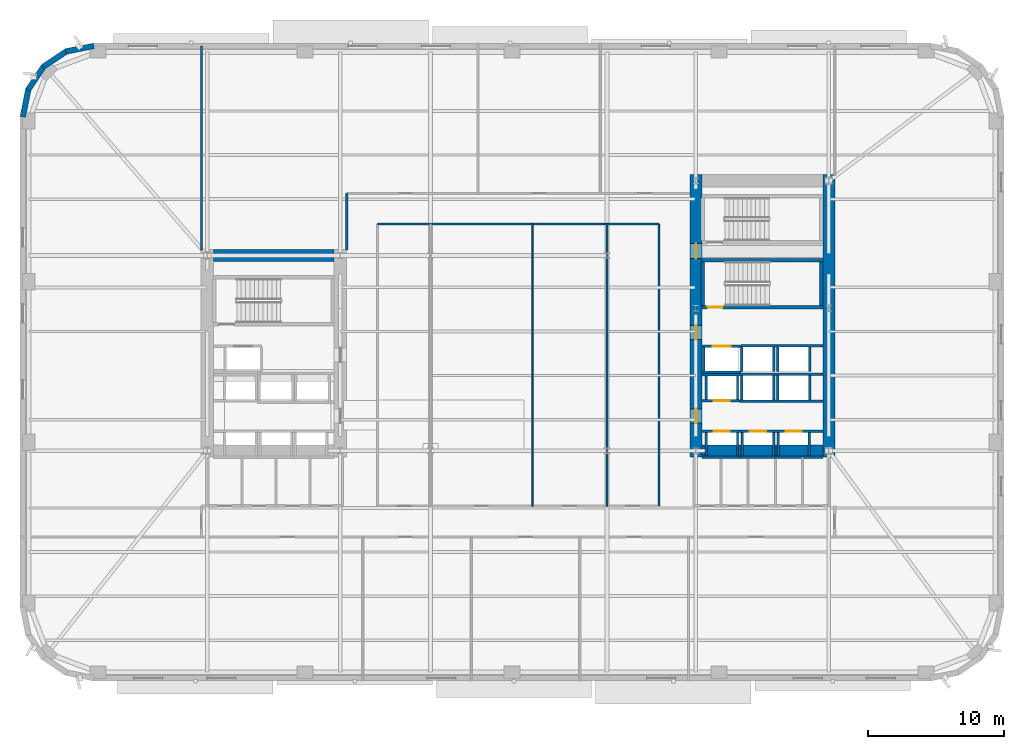
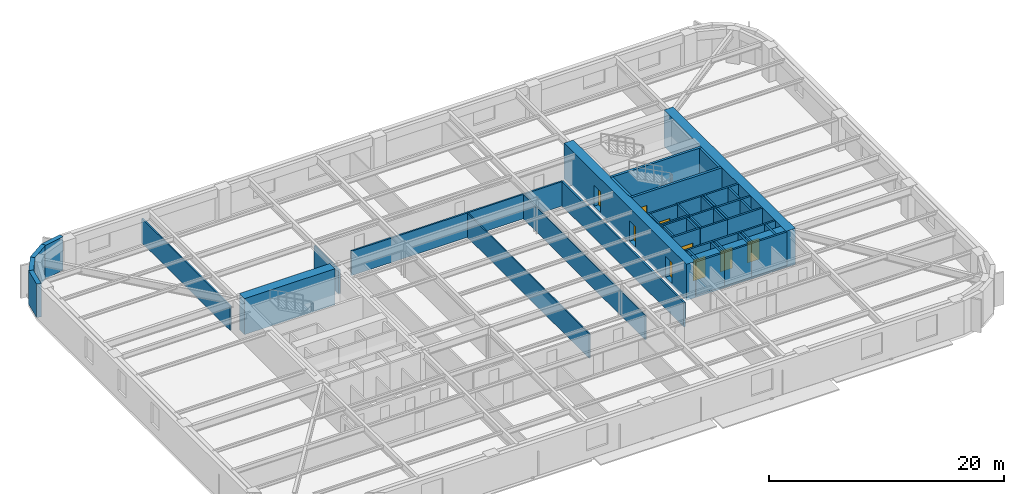
# One storey, part 6 of 15: 51 walls, 9 doors, 9 openings.
"""IFC4 building model written with IfcOpenShell, lengths in metres."""

from ifc_helpers import new_model, si_unit, direction, frame, frame_2d, origin, place, context, subcontext, project, spatial, rectangle, extrude, material, layer, layer_set, type_object, element, fill, save


model = new_model("IFC4")

# Units and contexts
model_context = context("Model", 3, precision=1e-05, world=origin(), true_north=direction((0.0, 1.0)))
body_context = subcontext(model_context, "Body", "Model", "MODEL_VIEW")
ifc_project = project(units=[si_unit("LENGTHUNIT", "METRE"), si_unit("AREAUNIT", "SQUARE_METRE"), si_unit("VOLUMEUNIT", "CUBIC_METRE"), si_unit("PLANEANGLEUNIT", "RADIAN"), si_unit("MASSUNIT", "GRAM", prefix="KILO")], contexts=[model_context])

# Site, building, storey
site_placement = place(None, origin())
site = spatial("IfcSite", under=ifc_project, at=site_placement, CompositionType="ELEMENT")
building_placement = place(site_placement, origin())
building = spatial("IfcBuilding", under=site, at=building_placement, Name="Kolvaren Arena Tower", CompositionType="ELEMENT")
storey_placement = place(building_placement, frame((0.0, 0.0, 49.5)))
storey = spatial("IfcBuildingStorey", under=building, at=storey_placement, Name="L09", CompositionType="ELEMENT", Elevation=49.5)

# Walls
ifc_material_1 = material(Name="Gypsum board acoustic assembly", Category="gypsum")
ifc_layer_1 = layer(ifc_material_1, 0.159912109375)
ifc_layer_set_1 = layer_set([ifc_layer_1], Name="Gypsum board acoustic assembly")
wall_type_1 = type_object("IfcWallType", Name="CORR-160", PredefinedType="PARTITIONING", material=ifc_layer_set_1)
wall_1_placement = place(storey_placement, frame((24.820068359375, 34.25, 0.0), z_axis=(0.0, 0.0, 1.0), x_axis=(0.0, 1.0, 0.0)))
element("IfcWall", 1, at=wall_1_placement, inside=storey, type_object=wall_type_1, Name="Interior Partition Wall (L09)", PredefinedType="PARTITIONING", context=body_context, shape_type="SweptSolid", body=[
    extrude(rectangle(XDim=4.169921875, YDim=0.159912109375, at=frame_2d((2.0849609375, 0.0))), origin(), (0.0, 0.0, 1.0), 2.5400390625),
])
wall_2_placement = place(storey_placement, frame((27.080078125, 36.179931640625, 0.0), z_axis=(0.0, 0.0, 1.0), x_axis=(1.0, 0.0, 0.0)))
element("IfcWall", 2, at=wall_2_placement, inside=storey, type_object=wall_type_1, Name="Interior Partition Wall (L09)", PredefinedType="PARTITIONING", context=body_context, shape_type="SweptSolid", body=[
    extrude(rectangle(XDim=20.739990234375, YDim=0.159912109375, at=frame_2d((10.3701171875, 0.0))), origin(), (0.0, 0.0, 1.0), 2.5400390625),
])
wall_3_placement = place(storey_placement, frame((47.820068359375, 15.3798828125, 0.0), z_axis=(0.0, 0.0, 1.0), x_axis=(0.0, 1.0, 0.0)))
element("IfcWall", 3, at=wall_3_placement, inside=storey, type_object=wall_type_1, Name="Interior Partition Wall (L09)", PredefinedType="PARTITIONING", context=body_context, shape_type="SweptSolid", body=[
    extrude(rectangle(XDim=20.800048828125, YDim=0.159912109375, at=frame_2d((10.39990234375, 0.0))), origin(), (0.0, 0.0, 1.0), 2.5400390625),
])
ifc_material_2 = material(Name="Concrete 80 MPa", Category="concrete")
ifc_layer_2 = layer(ifc_material_2, 0.89990234375)
ifc_layer_set_2 = layer_set([ifc_layer_2], Name="Concrete 80 MPa")
wall_type_2 = type_object("IfcWallType", Name="CWALL-900", PredefinedType="SHEAR", material=ifc_layer_set_2)
wall_4_placement = place(storey_placement, frame((15.0, 33.85009765625, -0.27001953125), z_axis=(0.0, 0.0, 1.0), x_axis=(1.0, 0.0, 0.0)))
element("IfcWall", 4, at=wall_4_placement, inside=storey, type_object=wall_type_2, Name="Core Shear Wall WC-NORTH (L09)", PredefinedType="SHEAR", context=body_context, shape_type="SweptSolid", body=[
    extrude(rectangle(XDim=8.89990234375, YDim=0.89990234375, at=frame_2d((4.449951171875, 0.0))), origin(), (0.0, 0.0, 1.0), 3.75),
])

# Wall, openings, doors
wall_5_placement = place(storey_placement, frame((50.550048828125, 19.0, -0.27001953125), z_axis=(0.0, 0.0, 1.0), x_axis=(0.0, 1.0, 0.0)))
wall_5 = element("IfcWall", 5, at=wall_5_placement, inside=storey, type_object=wall_type_2, Name="Core Shear Wall EC-WEST (L09)", PredefinedType="SHEAR", context=body_context, shape_type="SweptSolid", body=[
    extrude(rectangle(XDim=20.800048828125, YDim=0.89990234375, at=frame_2d((10.39990234375, 0.0))), origin(), (0.0, 0.0, 1.0), 3.75),
])
opening_1_placement = place(wall_5_placement, frame((2.5, 0.0, 0.27001953125)))
opening_1 = element("IfcOpeningElement", 6, at=opening_1_placement, cuts=wall_5, Name="Opening D04", PredefinedType="OPENING", context=body_context, shape_type="SweptSolid", body=[
    extrude(rectangle(XDim=1.050048828125, YDim=2.14990234375, at=frame_2d((0.52490234375, 1.074951171875))), frame((0.0, 0.4599609375, 0.0), z_axis=(0.0, -1.0, 0.0), x_axis=(1.0, 0.0, 0.0)), (0.0, 0.0, 1.0), 0.919921875),
])
opening_2_placement = place(wall_5_placement, frame((8.64990234375, 0.0, 0.27001953125)))
opening_2 = element("IfcOpeningElement", 7, at=opening_2_placement, cuts=wall_5, Name="Opening D04", PredefinedType="OPENING", context=body_context, shape_type="SweptSolid", body=[
    extrude(rectangle(XDim=1.050048828125, YDim=2.14990234375, at=frame_2d((0.52490234375, 1.074951171875))), frame((0.0, 0.4599609375, 0.0), z_axis=(0.0, -1.0, 0.0), x_axis=(1.0, 0.0, 0.0)), (0.0, 0.0, 1.0), 0.919921875),
])
opening_3_placement = place(wall_5_placement, frame((14.6201171875, 0.0, 0.27001953125)))
opening_3 = element("IfcOpeningElement", 8, at=opening_3_placement, cuts=wall_5, Name="Opening D03", PredefinedType="OPENING", context=body_context, shape_type="SweptSolid", body=[
    extrude(rectangle(XDim=1.10009765625, YDim=2.14990234375, at=frame_2d((0.550048828125, 1.074951171875))), frame((0.0, 0.4599609375, 0.0), z_axis=(0.0, -1.0, 0.0), x_axis=(1.0, 0.0, 0.0)), (0.0, 0.0, 1.0), 0.919921875),
])
ifc_material_3 = material(Name="Fire-rated steel lobby door", Category="steel")
door_type_1 = type_object("IfcDoorType", Name="DOOR-FF-105", OperationType="NOTDEFINED", PredefinedType="DOOR", material=ifc_material_3)
door_1_placement = place(opening_1_placement, origin())
door_1 = element("IfcDoor", 9, at=door_1_placement, inside=storey, type_object=door_type_1, Name="East Lift Lobby Fire Door (L09)", OperationType="SINGLE_SWING_RIGHT", OverallHeight=2.14990234375, OverallWidth=1.050048828125, PredefinedType="DOOR", context=body_context, shape_type="SweptSolid", body=[
    extrude(rectangle(XDim=1.050048828125, YDim=2.14990234375, at=frame_2d((0.52490234375, 1.074951171875))), frame((0.0, 0.02490234375, 0.0), z_axis=(0.0, -1.0, 0.0), x_axis=(1.0, 0.0, 0.0)), (0.0, 0.0, 1.0), 0.050048828125),
])
fill(opening_1, door_1)
door_2_placement = place(opening_2_placement, origin())
door_2 = element("IfcDoor", 10, at=door_2_placement, inside=storey, type_object=door_type_1, Name="East Firefighter Vestibule Door (L09)", OperationType="SINGLE_SWING_LEFT", OverallHeight=2.14990234375, OverallWidth=1.050048828125, PredefinedType="DOOR", context=body_context, shape_type="SweptSolid", body=[
    extrude(rectangle(XDim=1.050048828125, YDim=2.14990234375, at=frame_2d((0.52490234375, 1.074951171875))), frame((0.0, 0.02490234375, 0.0), z_axis=(0.0, -1.0, 0.0), x_axis=(1.0, 0.0, 0.0)), (0.0, 0.0, 1.0), 0.050048828125),
])
fill(opening_2, door_2)
ifc_material_4 = material(Name="Fire-rated steel exit stair door", Category="steel")
door_type_2 = type_object("IfcDoorType", Name="DOOR-ST-110", OperationType="NOTDEFINED", PredefinedType="DOOR", material=ifc_material_4)
door_3_placement = place(opening_3_placement, origin())
door_3 = element("IfcDoor", 11, at=door_3_placement, inside=storey, type_object=door_type_2, Name="Stair ST-E2 Vestibule Fire Door (L09)", OperationType="SINGLE_SWING_LEFT", OverallHeight=2.14990234375, OverallWidth=1.10009765625, PredefinedType="DOOR", context=body_context, shape_type="SweptSolid", body=[
    extrude(rectangle(XDim=1.10009765625, YDim=2.14990234375, at=frame_2d((0.550048828125, 1.074951171875))), frame((0.0, 0.02490234375, 0.0), z_axis=(0.0, -1.0, 0.0), x_axis=(1.0, 0.0, 0.0)), (0.0, 0.0, 1.0), 0.050048828125),
])
fill(opening_3, door_3)

# Walls
wall_6_placement = place(storey_placement, frame((60.35009765625, 19.0, -0.27001953125), z_axis=(0.0, 0.0, 1.0), x_axis=(0.0, 1.0, 0.0)))
element("IfcWall", 12, at=wall_6_placement, inside=storey, type_object=wall_type_2, Name="Core Shear Wall EC-EAST (L09)", PredefinedType="SHEAR", context=body_context, shape_type="SweptSolid", body=[
    extrude(rectangle(XDim=20.800048828125, YDim=0.89990234375, at=frame_2d((10.39990234375, 0.0))), origin(), (0.0, 0.0, 1.0), 3.75),
])
wall_7_placement = place(storey_placement, frame((51.0, 19.449951171875, -0.27001953125), z_axis=(0.0, 0.0, 1.0), x_axis=(1.0, 0.0, 0.0)))
element("IfcWall", 13, at=wall_7_placement, inside=storey, type_object=wall_type_2, Name="Core Shear Wall EC-SOUTH (L09)", PredefinedType="SHEAR", context=body_context, shape_type="SweptSolid", body=[
    extrude(rectangle(XDim=8.89990234375, YDim=0.89990234375, at=frame_2d((4.449951171875, 0.0))), origin(), (0.0, 0.0, 1.0), 3.75),
])
ifc_material_5 = material(Name="Precast concrete C50/60", Category="concrete")
ifc_layer_3 = layer(ifc_material_5, 0.419921875)
ifc_layer_set_3 = layer_set([ifc_layer_3], Name="Precast concrete C50/60")
wall_type_3 = type_object("IfcWallType", Name="EXT-PIER1", PredefinedType="SOLIDWALL", material=ifc_layer_set_3)
for number, where, z_axis, x_axis, name in (
    (14, (4.12451171875, 48.8828125, 0.0), (0.0, 0.0, 1.0), (0.9807762837, 0.195135546048, 0.0), "Exterior Precast Masonry-Frame Wall (L09)"),
    (15, (2.4482421875, 47.743896484375, 0.0), (0.0, 0.0, 1.0), (0.831515102434, 0.555502146192, 0.0), "Exterior Precast Masonry-Frame Wall (L09)"),
    (16, (1.335693359375, 46.0498046875, 0.0), (0.0, 0.0, 1.0), (0.555502146192, 0.831515102434, 0.0), "Exterior Precast Masonry-Frame Wall (L09)"),
    (17, (0.9560546875, 44.05908203125, 0.0), (0.0, 0.0, 1.0), (0.195135546048, 0.9807762837, 0.0), "Exterior Precast Masonry-Frame Wall (L09)"),
):
    element("IfcWall", number, at=place(storey_placement, frame(where, z_axis=z_axis, x_axis=x_axis)), inside=storey, type_object=wall_type_3, Name=name, PredefinedType="SOLIDWALL", context=body_context, shape_type="SweptSolid", body=[
        extrude(rectangle(XDim=2.10693359375, YDim=0.419921875, at=frame_2d((1.053466796875, 0.0))), origin(), (0.0, 0.0, 1.0), 3.47998046875),
    ])
ifc_material_6 = material(Name="Gypsum board partition assembly", Category="gypsum")
ifc_layer_4 = layer(ifc_material_6, 0.114990234375)
ifc_layer_set_4 = layer_set([ifc_layer_4], Name="Gypsum board partition assembly")
wall_type_4 = type_object("IfcWallType", Name="PART-115", PredefinedType="PARTITIONING", material=ifc_layer_set_4)
for number, where, z_axis, x_axis, name in (
    (18, (38.5, 15.3798828125, 0.0), (0.0, 0.0, 1.0), (0.0, 1.0, 0.0), "Interior Partition Wall (L09)"),
    (19, (44.0, 15.3798828125, 0.0), (0.0, 0.0, 1.0), (0.0, 1.0, 0.0), "Interior Partition Wall (L09)"),
):
    element("IfcWall", number, at=place(storey_placement, frame(where, z_axis=z_axis, x_axis=x_axis)), inside=storey, type_object=wall_type_4, Name=name, PredefinedType="PARTITIONING", context=body_context, shape_type="SweptSolid", body=[
        extrude(rectangle(XDim=20.800048828125, YDim=0.114990234375, at=frame_2d((10.39990234375, 0.0))), origin(), (0.0, 0.0, 1.0), 2.5400390625),
    ])
ifc_layer_5 = layer(ifc_material_6, 0.135009765625)
ifc_layer_set_5 = layer_set([ifc_layer_5], Name="Gypsum board partition assembly")
wall_type_5 = type_object("IfcWallType", Name="PART-135", PredefinedType="PARTITIONING", material=ifc_layer_set_5)
wall_8_placement = place(storey_placement, frame((14.1201171875, 34.25, 0.0), z_axis=(0.0, 0.0, 1.0), x_axis=(0.0, 1.0, 0.0)))
element("IfcWall", 20, at=wall_8_placement, inside=storey, type_object=wall_type_5, Name="Interior Partition Wall (L09)", PredefinedType="PARTITIONING", context=body_context, shape_type="SweptSolid", body=[
    extrude(rectangle(XDim=15.010009765625, YDim=0.135009765625, at=frame_2d((7.5048828125, 0.0))), origin(), (0.0, 0.0, 1.0), 2.5400390625),
])

# Wall, opening, door
ifc_material_7 = material(Name="Concrete 45 MPa", Category="concrete")
ifc_layer_6 = layer(ifc_material_7, 0.25)
ifc_layer_set_6 = layer_set([ifc_layer_6], Name="Concrete 45 MPa")
wall_type_6 = type_object("IfcWallType", Name="SHAFT-250", PredefinedType="SOLIDWALL", material=ifc_layer_set_6)
wall_9_placement = place(storey_placement, frame((59.89990234375, 30.030029296875, 0.0), z_axis=(0.0, 0.0, 1.0), x_axis=(-1.0, 0.0, 0.0)))
wall_9 = element("IfcWall", 21, at=wall_9_placement, inside=storey, type_object=wall_type_6, Name="Core Shaft Wall (L09)", PredefinedType="SOLIDWALL", context=body_context, shape_type="SweptSolid", body=[
    extrude(rectangle(XDim=8.89990234375, YDim=0.239990234375, at=frame_2d((4.449951171875, 0.0))), origin(), (0.0, 0.0, 1.0), 3.47998046875),
])
opening_4_placement = place(wall_9_placement, frame((7.3798828125, 0.0, 0.0)))
opening_4 = element("IfcOpeningElement", 22, at=opening_4_placement, cuts=wall_9, Name="Opening D03", PredefinedType="OPENING", context=body_context, shape_type="SweptSolid", body=[
    extrude(rectangle(XDim=1.10009765625, YDim=2.14990234375, at=frame_2d((0.550048828125, 1.074951171875))), frame((0.0, 0.1298828125, 0.0), z_axis=(0.0, -1.0, 0.0), x_axis=(1.0, 0.0, 0.0)), (0.0, 0.0, 1.0), 0.260009765625),
])
door_4_placement = place(opening_4_placement, origin())
door_4 = element("IfcDoor", 23, at=door_4_placement, inside=storey, type_object=door_type_2, Name="Stair ST-E1 Fire Door (L09)", OperationType="SINGLE_SWING_LEFT", OverallHeight=2.14990234375, OverallWidth=1.10009765625, PredefinedType="DOOR", context=body_context, shape_type="SweptSolid", body=[
    extrude(rectangle(XDim=1.10009765625, YDim=2.14990234375, at=frame_2d((0.550048828125, 1.074951171875))), frame((0.0, 0.02490234375, 0.0), z_axis=(0.0, -1.0, 0.0), x_axis=(1.0, 0.0, 0.0)), (0.0, 0.0, 1.0), 0.050048828125),
])
fill(opening_4, door_4)

# Walls
wall_10_placement = place(storey_placement, frame((51.0, 33.5, 0.0), z_axis=(0.0, 0.0, 1.0), x_axis=(1.0, 0.0, 0.0)))
element("IfcWall", 24, at=wall_10_placement, inside=storey, type_object=wall_type_6, Name="Core Shaft Wall (L09)", PredefinedType="SOLIDWALL", context=body_context, shape_type="SweptSolid", body=[
    extrude(rectangle(XDim=8.89990234375, YDim=0.239990234375, at=frame_2d((4.449951171875, 0.0))), origin(), (0.0, 0.0, 1.0), 3.47998046875),
])
for number, where, z_axis, x_axis, name in (
    (25, (51.06005859375, 30.14990234375, 0.0), (0.0, 0.0, 1.0), (0.0, 1.0, 0.0), "Core Shaft Wall (L09)"),
    (26, (59.780029296875, 30.14990234375, 0.0), (0.0, 0.0, 1.0), (0.0, 1.0, 0.0), "Core Shaft Wall (L09)"),
):
    element("IfcWall", number, at=place(storey_placement, frame(where, z_axis=z_axis, x_axis=x_axis)), inside=storey, type_object=wall_type_6, Name=name, PredefinedType="SOLIDWALL", context=body_context, shape_type="SweptSolid", body=[
        extrude(rectangle(XDim=3.22998046875, YDim=0.239990234375, at=frame_2d((1.614990234375, 0.0))), origin(), (0.0, 0.0, 1.0), 3.47998046875),
    ])

# Wall, opening, door
wall_11_placement = place(storey_placement, frame((51.0, 20.905029296875, 0.0), z_axis=(0.0, 0.0, 1.0), x_axis=(1.0, 0.0, 0.0)))
wall_11 = element("IfcWall", 27, at=wall_11_placement, inside=storey, type_object=wall_type_6, Name="Core Shaft Wall (L09)", PredefinedType="SOLIDWALL", context=body_context, shape_type="SweptSolid", body=[
    extrude(rectangle(XDim=2.7900390625, YDim=0.179931640625, at=frame_2d((1.39501953125, 0.0))), origin(), (0.0, 0.0, 1.0), 3.47998046875),
])
opening_5_placement = place(wall_11_placement, frame((0.860107421875, 0.0, 0.0)))
opening_5 = element("IfcOpeningElement", 28, at=opening_5_placement, cuts=wall_11, Name="Opening LD1", PredefinedType="OPENING", context=body_context, shape_type="SweptSolid", body=[
    extrude(rectangle(XDim=1.199951171875, YDim=2.199951171875, at=frame_2d((0.60009765625, 1.10009765625))), frame((0.0, 0.099853515625, 0.0), z_axis=(0.0, -1.0, 0.0), x_axis=(1.0, 0.0, 0.0)), (0.0, 0.0, 1.0), 0.199951171875),
])
ifc_material_8 = material(Name="Stainless steel passenger lift landing door", Category="steel")
door_type_3 = type_object("IfcDoorType", Name="DOOR-LD-120", OperationType="DOUBLE_DOOR_SLIDING", PredefinedType="DOOR", material=ifc_material_8)
door_5_placement = place(opening_5_placement, origin())
door_5 = element("IfcDoor", 29, at=door_5_placement, inside=storey, type_object=door_type_3, Name="Lift EL-LR1 Landing Door (L09)", OperationType="DOUBLE_DOOR_SLIDING", OverallHeight=2.199951171875, OverallWidth=1.199951171875, PredefinedType="DOOR", context=body_context, shape_type="SweptSolid", body=[
    extrude(rectangle(XDim=1.199951171875, YDim=2.199951171875, at=frame_2d((0.60009765625, 1.10009765625))), frame((0.0, 0.02490234375, 0.0), z_axis=(0.0, -1.0, 0.0), x_axis=(1.0, 0.0, 0.0)), (0.0, 0.0, 1.0), 0.050048828125),
])
fill(opening_5, door_5)

# Walls
wall_12_placement = place(storey_placement, frame((51.0, 18.9951171875, 0.0), z_axis=(0.0, 0.0, 1.0), x_axis=(1.0, 0.0, 0.0)))
element("IfcWall", 30, at=wall_12_placement, inside=storey, type_object=wall_type_6, Name="Core Shaft Wall (L09)", PredefinedType="SOLIDWALL", context=body_context, shape_type="SweptSolid", body=[
    extrude(rectangle(XDim=2.7900390625, YDim=0.179931640625, at=frame_2d((1.39501953125, 0.0))), origin(), (0.0, 0.0, 1.0), 3.47998046875),
])
for number, where, z_axis, x_axis, name in (
    (31, (51.304931640625, 19.0849609375, 0.0), (0.0, 0.0, 1.0), (0.0, 1.0, 0.0), "Core Shaft Wall (L09)"),
    (32, (53.614990234375, 19.0849609375, 0.0), (0.0, 0.0, 1.0), (0.0, 1.0, 0.0), "Core Shaft Wall (L09)"),
):
    element("IfcWall", number, at=place(storey_placement, frame(where, z_axis=z_axis, x_axis=x_axis)), inside=storey, type_object=wall_type_6, Name=name, PredefinedType="SOLIDWALL", context=body_context, shape_type="SweptSolid", body=[
        extrude(rectangle(XDim=1.72998046875, YDim=0.179931640625, at=frame_2d((0.864990234375, 0.0))), origin(), (0.0, 0.0, 1.0), 3.47998046875),
    ])

# Wall, opening, door
wall_13_placement = place(storey_placement, frame((53.7900390625, 20.905029296875, 0.0), z_axis=(0.0, 0.0, 1.0), x_axis=(1.0, 0.0, 0.0)))
wall_13 = element("IfcWall", 33, at=wall_13_placement, inside=storey, type_object=wall_type_6, Name="Core Shaft Wall (L09)", PredefinedType="SOLIDWALL", context=body_context, shape_type="SweptSolid", body=[
    extrude(rectangle(XDim=2.64990234375, YDim=0.179931640625, at=frame_2d((1.324951171875, 0.0))), origin(), (0.0, 0.0, 1.0), 3.47998046875),
])
opening_6_placement = place(wall_13_placement, frame((0.72998046875, 0.0, 0.0)))
opening_6 = element("IfcOpeningElement", 34, at=opening_6_placement, cuts=wall_13, Name="Opening LD1", PredefinedType="OPENING", context=body_context, shape_type="SweptSolid", body=[
    extrude(rectangle(XDim=1.199951171875, YDim=2.199951171875, at=frame_2d((0.60009765625, 1.10009765625))), frame((0.0, 0.099853515625, 0.0), z_axis=(0.0, -1.0, 0.0), x_axis=(1.0, 0.0, 0.0)), (0.0, 0.0, 1.0), 0.199951171875),
])
door_6_placement = place(opening_6_placement, origin())
door_6 = element("IfcDoor", 35, at=door_6_placement, inside=storey, type_object=door_type_3, Name="Lift EL-LR2 Landing Door (L09)", OperationType="DOUBLE_DOOR_SLIDING", OverallHeight=2.199951171875, OverallWidth=1.199951171875, PredefinedType="DOOR", context=body_context, shape_type="SweptSolid", body=[
    extrude(rectangle(XDim=1.199951171875, YDim=2.199951171875, at=frame_2d((0.60009765625, 1.10009765625))), frame((0.0, 0.02490234375, 0.0), z_axis=(0.0, -1.0, 0.0), x_axis=(1.0, 0.0, 0.0)), (0.0, 0.0, 1.0), 0.050048828125),
])
fill(opening_6, door_6)

# Walls
wall_14_placement = place(storey_placement, frame((53.7900390625, 18.9951171875, 0.0), z_axis=(0.0, 0.0, 1.0), x_axis=(1.0, 0.0, 0.0)))
element("IfcWall", 36, at=wall_14_placement, inside=storey, type_object=wall_type_6, Name="Core Shaft Wall (L09)", PredefinedType="SOLIDWALL", context=body_context, shape_type="SweptSolid", body=[
    extrude(rectangle(XDim=2.64990234375, YDim=0.179931640625, at=frame_2d((1.324951171875, 0.0))), origin(), (0.0, 0.0, 1.0), 3.47998046875),
])
for number, where, z_axis, x_axis, name in (
    (37, (53.965087890625, 19.0849609375, 0.0), (0.0, 0.0, 1.0), (0.0, 1.0, 0.0), "Core Shaft Wall (L09)"),
    (38, (56.27490234375, 19.0849609375, 0.0), (0.0, 0.0, 1.0), (0.0, 1.0, 0.0), "Core Shaft Wall (L09)"),
):
    element("IfcWall", number, at=place(storey_placement, frame(where, z_axis=z_axis, x_axis=x_axis)), inside=storey, type_object=wall_type_6, Name=name, PredefinedType="SOLIDWALL", context=body_context, shape_type="SweptSolid", body=[
        extrude(rectangle(XDim=1.72998046875, YDim=0.179931640625, at=frame_2d((0.864990234375, 0.0))), origin(), (0.0, 0.0, 1.0), 3.47998046875),
    ])

# Wall, opening, door
wall_15_placement = place(storey_placement, frame((56.43994140625, 20.905029296875, 0.0), z_axis=(0.0, 0.0, 1.0), x_axis=(1.0, 0.0, 0.0)))
wall_15 = element("IfcWall", 39, at=wall_15_placement, inside=storey, type_object=wall_type_6, Name="Core Shaft Wall (L09)", PredefinedType="SOLIDWALL", context=body_context, shape_type="SweptSolid", body=[
    extrude(rectangle(XDim=3.4599609375, YDim=0.179931640625, at=frame_2d((1.72998046875, 0.0))), origin(), (0.0, 0.0, 1.0), 3.47998046875),
])
opening_7_placement = place(wall_15_placement, frame((0.719970703125, 0.0, 0.0)))
opening_7 = element("IfcOpeningElement", 40, at=opening_7_placement, cuts=wall_15, Name="Opening LD1", PredefinedType="OPENING", context=body_context, shape_type="SweptSolid", body=[
    extrude(rectangle(XDim=1.199951171875, YDim=2.199951171875, at=frame_2d((0.60009765625, 1.10009765625))), frame((0.0, 0.099853515625, 0.0), z_axis=(0.0, -1.0, 0.0), x_axis=(1.0, 0.0, 0.0)), (0.0, 0.0, 1.0), 0.199951171875),
])
door_7_placement = place(opening_7_placement, origin())
door_7 = element("IfcDoor", 41, at=door_7_placement, inside=storey, type_object=door_type_3, Name="Lift EL-LR3 Landing Door (L09)", OperationType="DOUBLE_DOOR_SLIDING", OverallHeight=2.199951171875, OverallWidth=1.199951171875, PredefinedType="DOOR", context=body_context, shape_type="SweptSolid", body=[
    extrude(rectangle(XDim=1.199951171875, YDim=2.199951171875, at=frame_2d((0.60009765625, 1.10009765625))), frame((0.0, 0.02490234375, 0.0), z_axis=(0.0, -1.0, 0.0), x_axis=(1.0, 0.0, 0.0)), (0.0, 0.0, 1.0), 0.050048828125),
])
fill(opening_7, door_7)

# Walls
wall_16_placement = place(storey_placement, frame((56.43994140625, 18.9951171875, 0.0), z_axis=(0.0, 0.0, 1.0), x_axis=(1.0, 0.0, 0.0)))
element("IfcWall", 42, at=wall_16_placement, inside=storey, type_object=wall_type_6, Name="Core Shaft Wall (L09)", PredefinedType="SOLIDWALL", context=body_context, shape_type="SweptSolid", body=[
    extrude(rectangle(XDim=3.4599609375, YDim=0.179931640625, at=frame_2d((1.72998046875, 0.0))), origin(), (0.0, 0.0, 1.0), 3.47998046875),
])
for number, where, z_axis, x_axis, name in (
    (43, (56.60498046875, 19.0849609375, 0.0), (0.0, 0.0, 1.0), (0.0, 1.0, 0.0), "Core Shaft Wall (L09)"),
    (44, (58.9150390625, 19.0849609375, 0.0), (0.0, 0.0, 1.0), (0.0, 1.0, 0.0), "Core Shaft Wall (L09)"),
):
    element("IfcWall", number, at=place(storey_placement, frame(where, z_axis=z_axis, x_axis=x_axis)), inside=storey, type_object=wall_type_6, Name=name, PredefinedType="SOLIDWALL", context=body_context, shape_type="SweptSolid", body=[
        extrude(rectangle(XDim=1.72998046875, YDim=0.179931640625, at=frame_2d((0.864990234375, 0.0))), origin(), (0.0, 0.0, 1.0), 3.47998046875),
    ])
wall_17_placement = place(storey_placement, frame((51.0, 25.054931640625, 0.0), z_axis=(0.0, 0.0, 1.0), x_axis=(1.0, 0.0, 0.0)))
element("IfcWall", 45, at=wall_17_placement, inside=storey, type_object=wall_type_6, Name="Core Shaft Wall (L09)", PredefinedType="SOLIDWALL", context=body_context, shape_type="SweptSolid", body=[
    extrude(rectangle(XDim=2.777587890625, YDim=0.179931640625, at=frame_2d((1.388671875, 0.0))), origin(), (0.0, 0.0, 1.0), 3.47998046875),
])

# Wall, opening, door
wall_18_placement = place(storey_placement, frame((51.0, 23.14501953125, 0.0), z_axis=(0.0, 0.0, 1.0), x_axis=(1.0, 0.0, 0.0)))
wall_18 = element("IfcWall", 46, at=wall_18_placement, inside=storey, type_object=wall_type_6, Name="Core Shaft Wall (L09)", PredefinedType="SOLIDWALL", context=body_context, shape_type="SweptSolid", body=[
    extrude(rectangle(XDim=2.777587890625, YDim=0.179931640625, at=frame_2d((1.388671875, 0.0))), origin(), (0.0, 0.0, 1.0), 3.47998046875),
])
opening_8_placement = place(wall_18_placement, frame((0.860107421875, 0.0, 0.0)))
opening_8 = element("IfcOpeningElement", 47, at=opening_8_placement, cuts=wall_18, Name="Opening LD1", PredefinedType="OPENING", context=body_context, shape_type="SweptSolid", body=[
    extrude(rectangle(XDim=1.199951171875, YDim=2.199951171875, at=frame_2d((0.60009765625, 1.10009765625))), frame((0.0, 0.099853515625, 0.0), z_axis=(0.0, -1.0, 0.0), x_axis=(1.0, 0.0, 0.0)), (0.0, 0.0, 1.0), 0.199951171875),
])
door_8_placement = place(opening_8_placement, origin())
door_8 = element("IfcDoor", 48, at=door_8_placement, inside=storey, type_object=door_type_3, Name="Lift EL-LR4 Landing Door (L09)", OperationType="DOUBLE_DOOR_SLIDING", OverallHeight=2.199951171875, OverallWidth=1.199951171875, PredefinedType="DOOR", context=body_context, shape_type="SweptSolid", body=[
    extrude(rectangle(XDim=1.199951171875, YDim=2.199951171875, at=frame_2d((0.60009765625, 1.10009765625))), frame((0.0, 0.02490234375, 0.0), z_axis=(0.0, -1.0, 0.0), x_axis=(1.0, 0.0, 0.0)), (0.0, 0.0, 1.0), 0.050048828125),
])
fill(opening_8, door_8)

# Walls
for number, where, z_axis, x_axis, name in (
    (49, (51.304931640625, 23.235107421875, 0.0), (0.0, 0.0, 1.0), (0.0, 1.0, 0.0), "Core Shaft Wall (L09)"),
    (50, (53.614990234375, 23.235107421875, 0.0), (0.0, 0.0, 1.0), (0.0, 1.0, 0.0), "Core Shaft Wall (L09)"),
):
    element("IfcWall", number, at=place(storey_placement, frame(where, z_axis=z_axis, x_axis=x_axis)), inside=storey, type_object=wall_type_6, Name=name, PredefinedType="SOLIDWALL", context=body_context, shape_type="SweptSolid", body=[
        extrude(rectangle(XDim=1.72998046875, YDim=0.179931640625, at=frame_2d((0.864990234375, 0.0))), origin(), (0.0, 0.0, 1.0), 3.47998046875),
    ])
for number, where, z_axis, x_axis, name in (
    (51, (53.777587890625, 25.10498046875, 0.0), (0.0, 0.0, 1.0), (1.0, 0.0, 0.0), "Core Shaft Wall (L09)"),
    (52, (53.777587890625, 23.094970703125, 0.0), (0.0, 0.0, 1.0), (1.0, 0.0, 0.0), "Core Shaft Wall (L09)"),
):
    element("IfcWall", number, at=place(storey_placement, frame(where, z_axis=z_axis, x_axis=x_axis)), inside=storey, type_object=wall_type_6, Name=name, PredefinedType="SOLIDWALL", context=body_context, shape_type="SweptSolid", body=[
        extrude(rectangle(XDim=2.662353515625, YDim=0.179931640625, at=frame_2d((1.3310546875, 0.0))), origin(), (0.0, 0.0, 1.0), 3.47998046875),
    ])
for number, where, z_axis, x_axis, name in (
    (53, (53.93994140625, 23.18505859375, 0.0), (0.0, 0.0, 1.0), (0.0, 1.0, 0.0), "Core Shaft Wall (L09)"),
    (54, (56.300048828125, 23.18505859375, 0.0), (0.0, 0.0, 1.0), (0.0, 1.0, 0.0), "Core Shaft Wall (L09)"),
):
    element("IfcWall", number, at=place(storey_placement, frame(where, z_axis=z_axis, x_axis=x_axis)), inside=storey, type_object=wall_type_6, Name=name, PredefinedType="SOLIDWALL", context=body_context, shape_type="SweptSolid", body=[
        extrude(rectangle(XDim=1.829833984375, YDim=0.179931640625, at=frame_2d((0.9150390625, 0.0))), origin(), (0.0, 0.0, 1.0), 3.47998046875),
    ])
for number, where, z_axis, x_axis, name in (
    (55, (56.43994140625, 25.10498046875, 0.0), (0.0, 0.0, 1.0), (1.0, 0.0, 0.0), "Core Shaft Wall (L09)"),
    (56, (56.43994140625, 23.094970703125, 0.0), (0.0, 0.0, 1.0), (1.0, 0.0, 0.0), "Core Shaft Wall (L09)"),
):
    element("IfcWall", number, at=place(storey_placement, frame(where, z_axis=z_axis, x_axis=x_axis)), inside=storey, type_object=wall_type_6, Name=name, PredefinedType="SOLIDWALL", context=body_context, shape_type="SweptSolid", body=[
        extrude(rectangle(XDim=3.4599609375, YDim=0.179931640625, at=frame_2d((1.72998046875, 0.0))), origin(), (0.0, 0.0, 1.0), 3.47998046875),
    ])
for number, where, z_axis, x_axis, name in (
    (57, (56.580078125, 23.18505859375, 0.0), (0.0, 0.0, 1.0), (0.0, 1.0, 0.0), "Core Shaft Wall (L09)"),
    (58, (58.93994140625, 23.18505859375, 0.0), (0.0, 0.0, 1.0), (0.0, 1.0, 0.0), "Core Shaft Wall (L09)"),
):
    element("IfcWall", number, at=place(storey_placement, frame(where, z_axis=z_axis, x_axis=x_axis)), inside=storey, type_object=wall_type_6, Name=name, PredefinedType="SOLIDWALL", context=body_context, shape_type="SweptSolid", body=[
        extrude(rectangle(XDim=1.829833984375, YDim=0.179931640625, at=frame_2d((0.9150390625, 0.0))), origin(), (0.0, 0.0, 1.0), 3.47998046875),
    ])
wall_19_placement = place(storey_placement, frame((53.864990234375, 27.205078125, 0.0), z_axis=(0.0, 0.0, 1.0), x_axis=(1.0, 0.0, 0.0)))
element("IfcWall", 59, at=wall_19_placement, inside=storey, type_object=wall_type_6, Name="Core Shaft Wall (L09)", PredefinedType="SOLIDWALL", context=body_context, shape_type="SweptSolid", body=[
    extrude(rectangle(XDim=2.574951171875, YDim=0.179931640625, at=frame_2d((1.28759765625, 0.0))), origin(), (0.0, 0.0, 1.0), 3.47998046875),
])
for number, where, z_axis, x_axis, name in (
    (60, (53.93994140625, 25.284912109375, 0.0), (0.0, 0.0, 1.0), (0.0, 1.0, 0.0), "Core Shaft Wall (L09)"),
    (61, (56.300048828125, 25.284912109375, 0.0), (0.0, 0.0, 1.0), (0.0, 1.0, 0.0), "Core Shaft Wall (L09)"),
):
    element("IfcWall", number, at=place(storey_placement, frame(where, z_axis=z_axis, x_axis=x_axis)), inside=storey, type_object=wall_type_6, Name=name, PredefinedType="SOLIDWALL", context=body_context, shape_type="SweptSolid", body=[
        extrude(rectangle(XDim=1.830078125, YDim=0.179931640625, at=frame_2d((0.9150390625, 0.0))), origin(), (0.0, 0.0, 1.0), 3.47998046875),
    ])
wall_20_placement = place(storey_placement, frame((56.43994140625, 27.205078125, 0.0), z_axis=(0.0, 0.0, 1.0), x_axis=(1.0, 0.0, 0.0)))
element("IfcWall", 62, at=wall_20_placement, inside=storey, type_object=wall_type_6, Name="Core Shaft Wall (L09)", PredefinedType="SOLIDWALL", context=body_context, shape_type="SweptSolid", body=[
    extrude(rectangle(XDim=3.4599609375, YDim=0.179931640625, at=frame_2d((1.72998046875, 0.0))), origin(), (0.0, 0.0, 1.0), 3.47998046875),
])
for number, where, z_axis, x_axis, name in (
    (63, (56.580078125, 25.284912109375, 0.0), (0.0, 0.0, 1.0), (0.0, 1.0, 0.0), "Core Shaft Wall (L09)"),
    (64, (58.93994140625, 25.284912109375, 0.0), (0.0, 0.0, 1.0), (0.0, 1.0, 0.0), "Core Shaft Wall (L09)"),
):
    element("IfcWall", number, at=place(storey_placement, frame(where, z_axis=z_axis, x_axis=x_axis)), inside=storey, type_object=wall_type_6, Name=name, PredefinedType="SOLIDWALL", context=body_context, shape_type="SweptSolid", body=[
        extrude(rectangle(XDim=1.830078125, YDim=0.179931640625, at=frame_2d((0.9150390625, 0.0))), origin(), (0.0, 0.0, 1.0), 3.47998046875),
    ])

# Wall, opening, door
wall_21_placement = place(storey_placement, frame((51.0, 27.155029296875, 0.0), z_axis=(0.0, 0.0, 1.0), x_axis=(1.0, 0.0, 0.0)))
wall_21 = element("IfcWall", 65, at=wall_21_placement, inside=storey, type_object=wall_type_6, Name="Core Shaft Wall (L09)", PredefinedType="SOLIDWALL", context=body_context, shape_type="SweptSolid", body=[
    extrude(rectangle(XDim=2.864990234375, YDim=0.179931640625, at=frame_2d((1.4326171875, 0.0))), origin(), (0.0, 0.0, 1.0), 3.47998046875),
])
opening_9_placement = place(wall_21_placement, frame((0.784912109375, 0.0, 0.0)))
opening_9 = element("IfcOpeningElement", 66, at=opening_9_placement, cuts=wall_21, Name="Opening LD2", PredefinedType="OPENING", context=body_context, shape_type="SweptSolid", body=[
    extrude(rectangle(XDim=1.35009765625, YDim=2.300048828125, at=frame_2d((0.675048828125, 1.14990234375))), frame((0.0, 0.099853515625, 0.0), z_axis=(0.0, -1.0, 0.0), x_axis=(1.0, 0.0, 0.0)), (0.0, 0.0, 1.0), 0.199951171875),
])
ifc_material_9 = material(Name="Stainless steel firefighter lift landing door", Category="steel")
door_type_4 = type_object("IfcDoorType", Name="DOOR-LD-135", OperationType="DOUBLE_DOOR_SLIDING", PredefinedType="DOOR", material=ifc_material_9)
door_9_placement = place(opening_9_placement, origin())
door_9 = element("IfcDoor", 67, at=door_9_placement, inside=storey, type_object=door_type_4, Name="Firefighter Lift FF-E1 Landing Door (L09)", OperationType="DOUBLE_DOOR_SLIDING", OverallHeight=2.300048828125, OverallWidth=1.35009765625, PredefinedType="DOOR", context=body_context, shape_type="SweptSolid", body=[
    extrude(rectangle(XDim=1.35009765625, YDim=2.300048828125, at=frame_2d((0.675048828125, 1.14990234375))), frame((0.0, 0.02490234375, 0.0), z_axis=(0.0, -1.0, 0.0), x_axis=(1.0, 0.0, 0.0)), (0.0, 0.0, 1.0), 0.050048828125),
])
fill(opening_9, door_9)

# Walls
wall_22_placement = place(storey_placement, frame((51.0, 25.2451171875, 0.0), z_axis=(0.0, 0.0, 1.0), x_axis=(1.0, 0.0, 0.0)))
element("IfcWall", 68, at=wall_22_placement, inside=storey, type_object=wall_type_6, Name="Core Shaft Wall (L09)", PredefinedType="SOLIDWALL", context=body_context, shape_type="SweptSolid", body=[
    extrude(rectangle(XDim=2.864990234375, YDim=0.179931640625, at=frame_2d((1.4326171875, 0.0))), origin(), (0.0, 0.0, 1.0), 3.47998046875),
])
wall_23_placement = place(storey_placement, frame((51.1298828125, 25.3349609375, 0.0), z_axis=(0.0, 0.0, 1.0), x_axis=(0.0, 1.0, 0.0)))
element("IfcWall", 69, at=wall_23_placement, inside=storey, type_object=wall_type_6, Name="Core Shaft Wall (L09)", PredefinedType="SOLIDWALL", context=body_context, shape_type="SweptSolid", body=[
    extrude(rectangle(XDim=1.72998046875, YDim=0.179931640625, at=frame_2d((0.864990234375, 0.0))), origin(), (0.0, 0.0, 1.0), 3.47998046875),
])

save(model, "model.ifc")
